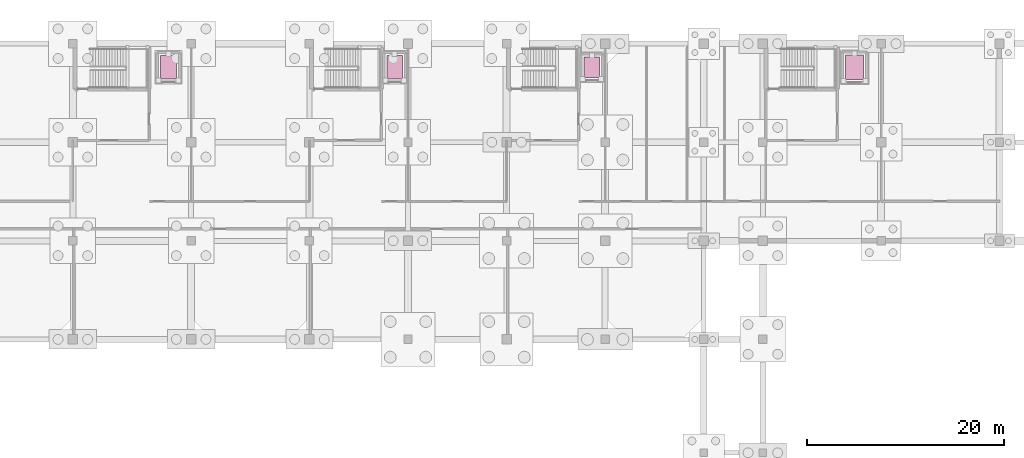
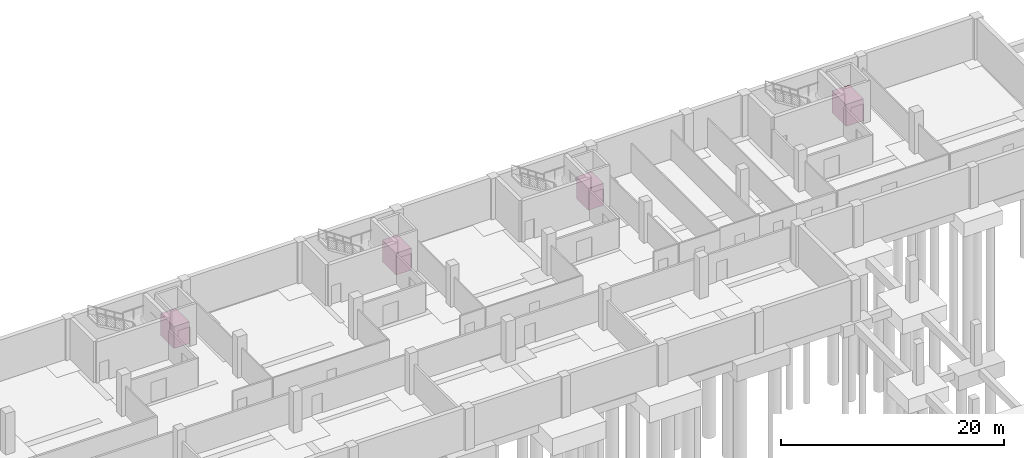
# One storey, part 19 of 19: 4 transport elements.
"""IFC4 building model written with IfcOpenShell, lengths in metres."""

from ifc_helpers import new_model, si_unit, direction, frame, origin, origin_2d, place, context, subcontext, project, spatial, rectangle, extrude, material, type_object, element, save


model = new_model("IFC4")

# Units and contexts
model_context = context("Model", 3, precision=1e-05, world=origin(), true_north=direction((0.0, 1.0)))
body_context = subcontext(model_context, "Body", "Model", "MODEL_VIEW")
ifc_project = project(units=[si_unit("LENGTHUNIT", "METRE"), si_unit("AREAUNIT", "SQUARE_METRE"), si_unit("VOLUMEUNIT", "CUBIC_METRE"), si_unit("PLANEANGLEUNIT", "RADIAN"), si_unit("MASSUNIT", "GRAM", prefix="KILO")], contexts=[model_context])

# Site, building, storey
site_placement = place(None, origin())
site = spatial("IfcSite", under=ifc_project, at=site_placement, CompositionType="ELEMENT")
building_placement = place(site_placement, origin())
building = spatial("IfcBuilding", under=site, at=building_placement, Name="Mersad Railyard Sports Hall", CompositionType="ELEMENT")
storey_placement = place(building_placement, frame((0.0, 0.0, -4.5)))
storey = spatial("IfcBuildingStorey", under=building, at=storey_placement, Name="B1", CompositionType="ELEMENT", Elevation=-4.5)

# Transport elements
ifc_material = material(Name="Steel S355", Category="steel")
transport_element_type_1 = type_object("IfcTransportElementType", Name="ARC-LF-FFL", PredefinedType="ELEVATOR", material=ifc_material)
for number, where, z_axis, x_axis, name in (
    (1, (76.699951171875, 112.60009765625, 0.0), (0.0, 0.0, 1.0), (1.0, 0.0, 0.0), "Firefighting and stretcher lift FFL-01"),
    (2, (99.64990234375, 112.60009765625, 0.0), (0.0, 0.0, 1.0), (1.0, 0.0, 0.0), "Firefighting and stretcher lift FFL-02"),
):
    element("IfcTransportElement", number, at=place(storey_placement, frame(where, z_axis=z_axis, x_axis=x_axis)), inside=storey, type_object=transport_element_type_1, Name=name, PredefinedType="ELEVATOR", context=body_context, shape_type="SweptSolid", body=[
        extrude(rectangle(XDim=1.60009765625, YDim=2.39990234375, at=origin_2d()), origin(), (0.0, 0.0, 1.0), 2.39990234375),
    ])
transport_element_type_2 = type_object("IfcTransportElementType", Name="ARC-LF-PL1", PredefinedType="ELEVATOR", material=ifc_material)
transport_element_1_placement = place(storey_placement, frame((119.64990234375, 112.60009765625, 0.0), z_axis=(0.0, 0.0, 1.0), x_axis=(1.0, 0.0, 0.0)))
element("IfcTransportElement", 3, at=transport_element_1_placement, inside=storey, type_object=transport_element_type_2, Name="Passenger lift PL-03", PredefinedType="ELEVATOR", context=body_context, shape_type="SweptSolid", body=[
    extrude(rectangle(XDim=1.60009765625, YDim=2.10009765625, at=origin_2d()), origin(), (0.0, 0.0, 1.0), 2.39990234375),
])
transport_element_type_3 = type_object("IfcTransportElementType", Name="ARC-LF-SL1", PredefinedType="ELEVATOR", material=ifc_material)
transport_element_2_placement = place(storey_placement, frame((146.300048828125, 112.60009765625, 0.0), z_axis=(0.0, 0.0, 1.0), x_axis=(1.0, 0.0, 0.0)))
element("IfcTransportElement", 4, at=transport_element_2_placement, inside=storey, type_object=transport_element_type_3, Name="Clinic and equipment lift PL-04", PredefinedType="ELEVATOR", context=body_context, shape_type="SweptSolid", body=[
    extrude(rectangle(XDim=1.800048828125, YDim=2.5, at=origin_2d()), origin(), (0.0, 0.0, 1.0), 2.39990234375),
])

save(model, "model.ifc")
